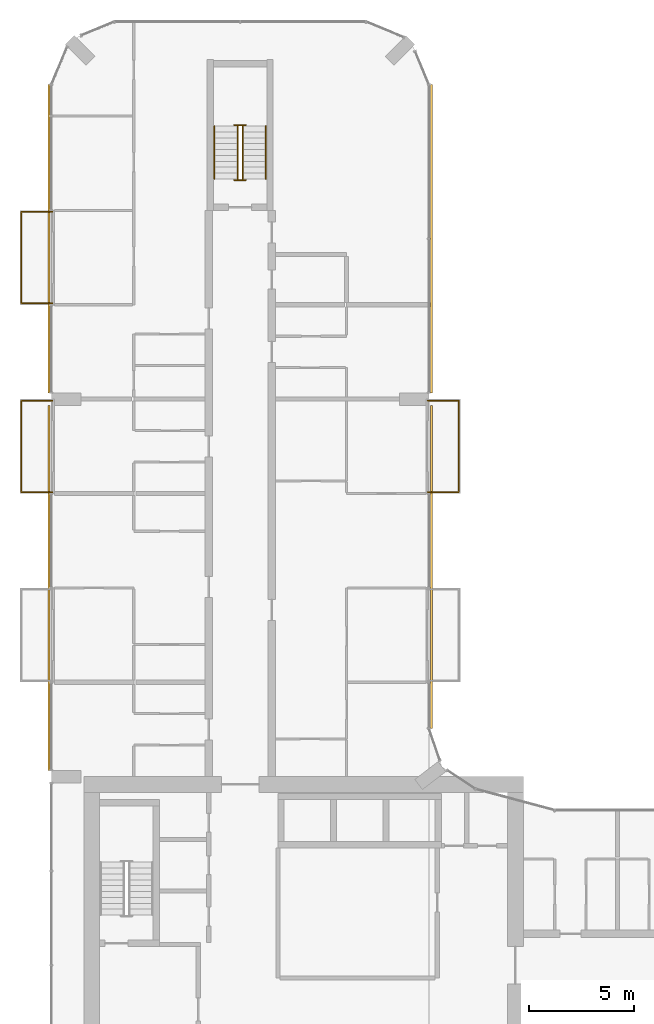
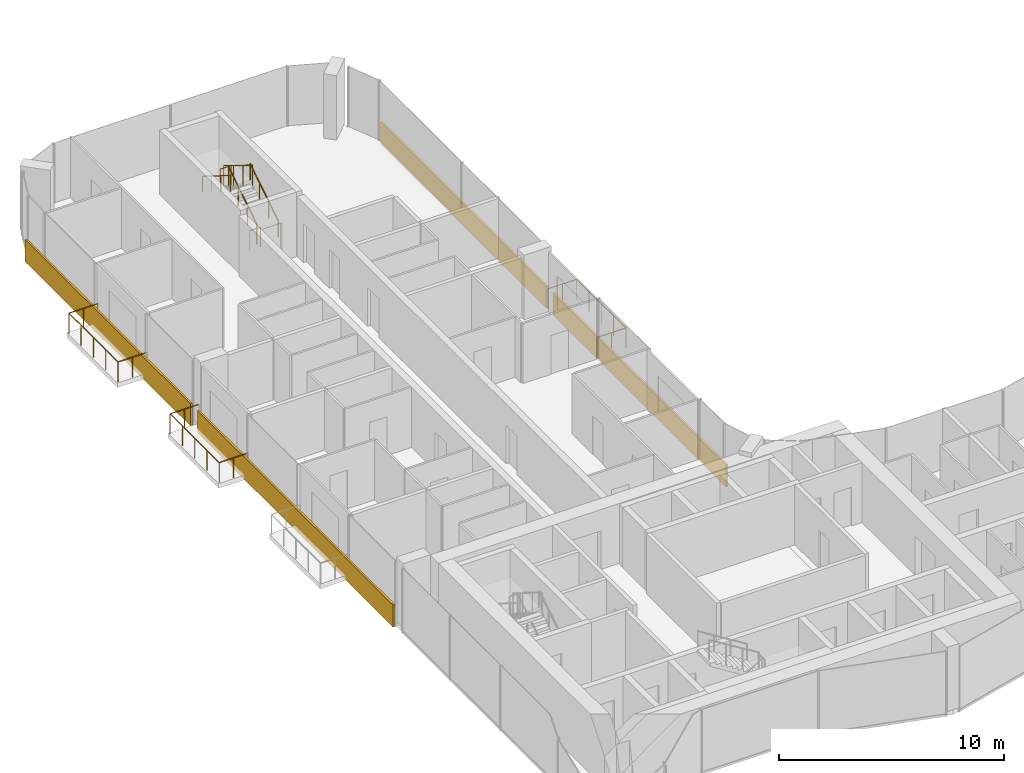
# One storey, part 22 of 23: 9 railings, 4 coverings.
"""IFC4 building model written with IfcOpenShell, lengths in metres."""

from ifc_helpers import new_model, si_unit, direction, frame, origin, origin_2d, place, context, subcontext, project, spatial, rectangle, circle, extrude, material, layer, layer_set, type_object, element, save


model = new_model("IFC4")

# Units and contexts
model_context = context("Model", 3, precision=1e-05, world=origin(), true_north=direction((0.0, 1.0)))
body_context = subcontext(model_context, "Body", "Model", "MODEL_VIEW")
ifc_project = project(units=[si_unit("LENGTHUNIT", "METRE"), si_unit("AREAUNIT", "SQUARE_METRE"), si_unit("VOLUMEUNIT", "CUBIC_METRE"), si_unit("PLANEANGLEUNIT", "RADIAN"), si_unit("MASSUNIT", "GRAM", prefix="KILO")], contexts=[model_context])

# Site, building, storey
site_placement = place(None, origin())
site = spatial("IfcSite", under=ifc_project, at=site_placement, CompositionType="ELEMENT")
building_placement = place(site_placement, origin())
building = spatial("IfcBuilding", under=site, at=building_placement, Name="Plateau Cross Towers", CompositionType="ELEMENT")
storey_placement = place(building_placement, frame((0.0, 0.0, 37.300048828125)))
storey = spatial("IfcBuildingStorey", under=building, at=storey_placement, Name="L08", CompositionType="ELEMENT", Elevation=37.300048828125)

# Railings
ifc_material_1 = material(Name="Stainless steel and toughened glass", Category="steel")
railing_type_1 = type_object("IfcRailingType", Name="Glass balustrade guard 1100", PredefinedType="GUARDRAIL", material=ifc_material_1)
for number, where, name in (
    (1, (0.050048828125, 31.570068359375, 0.0), "Guard guard1"),
    (2, (0.050048828125, 40.570068359375, 0.0), "Guard guard1"),
):
    element("IfcRailing", number, at=place(storey_placement, frame(where)), inside=storey, type_object=railing_type_1, Name=name, PredefinedType="GUARDRAIL", context=body_context, shape_type="SweptSolid", body=[
        extrude(circle(Radius=0.02392578125, at=origin_2d()), frame((0.0, 0.0, 1.076171875), z_axis=(-1.0, 0.0, 0.0), x_axis=(0.0, -1.0, 0.0)), (0.0, 0.0, 1.0), 1.47998046875),
        extrude(circle(Radius=0.02392578125, at=origin_2d()), frame((-1.47998046875, 0.0, 1.076171875), z_axis=(0.0, 1.0, 0.0), x_axis=(-1.0, 0.0, 0.0)), (0.0, 0.0, 1.0), 4.35986328125),
        extrude(circle(Radius=0.02392578125, at=origin_2d()), frame((-1.47998046875, 4.35986328125, 1.076171875), z_axis=(1.0, 0.0, 0.0), x_axis=(0.0, 1.0, 0.0)), (0.0, 0.0, 1.0), 1.47998046875),
        extrude(circle(Radius=0.02099609375, at=origin_2d()), origin(), (0.0, 0.0, 1.0), 1.052001953125),
        extrude(circle(Radius=0.02099609375, at=origin_2d()), frame((-0.739990234375, 0.0, 0.0)), (0.0, 0.0, 1.0), 1.052001953125),
        extrude(circle(Radius=0.02099609375, at=origin_2d()), frame((-1.47998046875, 0.0, 0.0)), (0.0, 0.0, 1.0), 1.052001953125),
        extrude(circle(Radius=0.02099609375, at=origin_2d()), frame((-1.47998046875, 1.08984375, 0.0)), (0.0, 0.0, 1.0), 1.052001953125),
        extrude(circle(Radius=0.02099609375, at=origin_2d()), frame((-1.47998046875, 2.179931640625, 0.0)), (0.0, 0.0, 1.0), 1.052001953125),
        extrude(circle(Radius=0.02099609375, at=origin_2d()), frame((-1.47998046875, 3.27001953125, 0.0)), (0.0, 0.0, 1.0), 1.052001953125),
        extrude(circle(Radius=0.02099609375, at=origin_2d()), frame((-1.47998046875, 4.35986328125, 0.0)), (0.0, 0.0, 1.0), 1.052001953125),
        extrude(circle(Radius=0.02099609375, at=origin_2d()), frame((-0.739990234375, 4.35986328125, 0.0)), (0.0, 0.0, 1.0), 1.052001953125),
        extrude(circle(Radius=0.02099609375, at=origin_2d()), frame((0.0, 4.35986328125, 0.0)), (0.0, 0.0, 1.0), 1.052001953125),
    ])
railing_1_placement = place(storey_placement, frame((17.949951171875, 35.929931640625, 0.0)))
element("IfcRailing", 3, at=railing_1_placement, inside=storey, type_object=railing_type_1, Name="Guard guard1", PredefinedType="GUARDRAIL", context=body_context, shape_type="SweptSolid", body=[
    extrude(circle(Radius=0.02392578125, at=origin_2d()), frame((0.0, 0.0, 1.076171875), z_axis=(1.0, 0.0, 0.0), x_axis=(0.0, 1.0, 0.0)), (0.0, 0.0, 1.0), 1.47998046875),
    extrude(circle(Radius=0.02392578125, at=origin_2d()), frame((1.47998046875, 0.0, 1.076171875), z_axis=(0.0, -1.0, 0.0), x_axis=(1.0, 0.0, 0.0)), (0.0, 0.0, 1.0), 4.35986328125),
    extrude(circle(Radius=0.02392578125, at=origin_2d()), frame((1.47998046875, -4.35986328125, 1.076171875), z_axis=(-1.0, 0.0, 0.0), x_axis=(0.0, -1.0, 0.0)), (0.0, 0.0, 1.0), 1.47998046875),
    extrude(circle(Radius=0.02099609375, at=origin_2d()), origin(), (0.0, 0.0, 1.0), 1.052001953125),
    extrude(circle(Radius=0.02099609375, at=origin_2d()), frame((0.739990234375, 0.0, 0.0)), (0.0, 0.0, 1.0), 1.052001953125),
    extrude(circle(Radius=0.02099609375, at=origin_2d()), frame((1.47998046875, 0.0, 0.0)), (0.0, 0.0, 1.0), 1.052001953125),
    extrude(circle(Radius=0.02099609375, at=origin_2d()), frame((1.47998046875, -1.08984375, 0.0)), (0.0, 0.0, 1.0), 1.052001953125),
    extrude(circle(Radius=0.02099609375, at=origin_2d()), frame((1.47998046875, -2.179931640625, 0.0)), (0.0, 0.0, 1.0), 1.052001953125),
    extrude(circle(Radius=0.02099609375, at=origin_2d()), frame((1.47998046875, -3.27001953125, 0.0)), (0.0, 0.0, 1.0), 1.052001953125),
    extrude(circle(Radius=0.02099609375, at=origin_2d()), frame((1.47998046875, -4.35986328125, 0.0)), (0.0, 0.0, 1.0), 1.052001953125),
    extrude(circle(Radius=0.02099609375, at=origin_2d()), frame((0.739990234375, -4.35986328125, 0.0)), (0.0, 0.0, 1.0), 1.052001953125),
    extrude(circle(Radius=0.02099609375, at=origin_2d()), frame((0.0, -4.35986328125, 0.0)), (0.0, 0.0, 1.0), 1.052001953125),
])
railing_type_2 = type_object("IfcRailingType", Name="RL-GUARD-1100", PredefinedType="GUARDRAIL", material=ifc_material_1)
railing_2_placement = place(storey_placement, frame((9.125, 46.5, 0.175048828125)))
element("IfcRailing", 4, at=railing_2_placement, inside=storey, type_object=railing_type_2, Name="L08 ES-N stair guard 1", PredefinedType="GUARDRAIL", context=body_context, shape_type="SweptSolid", body=[
    extrude(circle(Radius=0.02392578125, at=origin_2d()), frame((0.0, 0.0, 1.076171875), z_axis=(0.0, 0.848007534815, 0.529984170421), x_axis=(-1.0, 0.0, 0.0)), (0.0, 0.0, 1.0), 2.9716796875),
    extrude(circle(Radius=0.02099609375, at=origin_2d()), origin(), (0.0, 0.0, 1.0), 1.052001953125),
    extrude(circle(Radius=0.02099609375, at=origin_2d()), frame((0.0, 0.840087890625, 0.52490234375)), (0.0, 0.0, 1.0), 1.052001953125),
    extrude(circle(Radius=0.02099609375, at=origin_2d()), frame((0.0, 1.679931640625, 1.050048828125)), (0.0, 0.0, 1.0), 1.052001953125),
    extrude(circle(Radius=0.02099609375, at=origin_2d()), frame((0.0, 2.52001953125, 1.574951171875)), (0.0, 0.0, 1.0), 1.052001953125),
])
railing_3_placement = place(storey_placement, frame((9.27490234375, 49.070068359375, 1.75)))
element("IfcRailing", 5, at=railing_3_placement, inside=storey, type_object=railing_type_2, Name="L08 ES-N stair guard 2", PredefinedType="GUARDRAIL", context=body_context, shape_type="SweptSolid", body=[
    extrude(circle(Radius=0.02392578125, at=origin_2d()), frame((0.0, 0.0, 1.076171875), z_axis=(-1.0, 0.0, 0.0), x_axis=(0.0, -1.0, 0.0)), (0.0, 0.0, 1.0), 0.5498046875),
    extrude(circle(Radius=0.02099609375, at=origin_2d()), origin(), (0.0, 0.0, 1.0), 1.052001953125),
    extrude(circle(Radius=0.02099609375, at=origin_2d()), frame((-0.5498046875, 0.0, 0.0)), (0.0, 0.0, 1.0), 1.052001953125),
])
railing_4_placement = place(storey_placement, frame((8.875, 49.02001953125, 1.925048828125)))
element("IfcRailing", 6, at=railing_4_placement, inside=storey, type_object=railing_type_2, Name="L08 ES-N stair guard 3", PredefinedType="GUARDRAIL", context=body_context, shape_type="SweptSolid", body=[
    extrude(circle(Radius=0.02392578125, at=origin_2d()), frame((0.0, 0.0, 1.076171875), z_axis=(0.0, -0.852638500773, 0.522501279423), x_axis=(1.0, 0.0, 0.0)), (0.0, 0.0, 1.0), 3.01416015625),
    extrude(circle(Radius=0.02099609375, at=origin_2d()), origin(), (0.0, 0.0, 1.0), 1.052001953125),
    extrude(circle(Radius=0.02099609375, at=origin_2d()), frame((0.0, -0.856689453125, 0.52490234375)), (0.0, 0.0, 1.0), 1.052001953125),
    extrude(circle(Radius=0.02099609375, at=origin_2d()), frame((0.0, -1.71337890625, 1.050048828125)), (0.0, 0.0, 1.0), 1.052001953125),
    extrude(circle(Radius=0.02099609375, at=origin_2d()), frame((0.0, -2.570068359375, 1.574951171875)), (0.0, 0.0, 1.0), 1.052001953125),
])
railing_5_placement = place(storey_placement, frame((9.27490234375, 46.449951171875, 0.0)))
element("IfcRailing", 7, at=railing_5_placement, inside=storey, type_object=railing_type_2, Name="L08 ES-N stair guard 4", PredefinedType="GUARDRAIL", context=body_context, shape_type="SweptSolid", body=[
    extrude(circle(Radius=0.02392578125, at=origin_2d()), frame((0.0, 0.0, 1.076171875), z_axis=(-1.0, 0.0, 0.0), x_axis=(0.0, -1.0, 0.0)), (0.0, 0.0, 1.0), 0.5498046875),
    extrude(circle(Radius=0.02099609375, at=origin_2d()), origin(), (0.0, 0.0, 1.0), 1.052001953125),
    extrude(circle(Radius=0.02099609375, at=origin_2d()), frame((-0.5498046875, 0.0, 0.0)), (0.0, 0.0, 1.0), 1.052001953125),
])
ifc_material_2 = material(Name="Black anodised aluminium", Category="aluminium")
railing_type_3 = type_object("IfcRailingType", Name="RL-HANDRAIL-900", PredefinedType="HANDRAIL", material=ifc_material_2)
railing_6_placement = place(storey_placement, frame((10.22509765625, 46.5, 0.175048828125)))
element("IfcRailing", 8, at=railing_6_placement, inside=storey, type_object=railing_type_3, Name="L08 ES-N stair handrail 1", PredefinedType="HANDRAIL", context=body_context, shape_type="SweptSolid", body=[
    extrude(circle(Radius=0.02392578125, at=origin_2d()), frame((0.0, 0.0, 0.8759765625), z_axis=(0.0, 0.848007534815, 0.529984170421), x_axis=(-1.0, 0.0, 0.0)), (0.0, 0.0, 1.0), 2.9716796875),
    extrude(circle(Radius=0.02099609375, at=origin_2d()), origin(), (0.0, 0.0, 1.0), 0.851806640625),
    extrude(circle(Radius=0.02099609375, at=origin_2d()), frame((0.0, 0.840087890625, 0.52490234375)), (0.0, 0.0, 1.0), 0.851806640625),
    extrude(circle(Radius=0.02099609375, at=origin_2d()), frame((0.0, 1.679931640625, 1.050048828125)), (0.0, 0.0, 1.0), 0.851806640625),
    extrude(circle(Radius=0.02099609375, at=origin_2d()), frame((0.0, 2.52001953125, 1.574951171875)), (0.0, 0.0, 1.0), 0.851806640625),
])
railing_7_placement = place(storey_placement, frame((7.77490234375, 49.02001953125, 1.925048828125)))
element("IfcRailing", 9, at=railing_7_placement, inside=storey, type_object=railing_type_3, Name="L08 ES-N stair handrail 2", PredefinedType="HANDRAIL", context=body_context, shape_type="SweptSolid", body=[
    extrude(circle(Radius=0.02392578125, at=origin_2d()), frame((0.0, 0.0, 0.8759765625), z_axis=(0.0, -0.848007534815, 0.529984170421), x_axis=(1.0, 0.0, 0.0)), (0.0, 0.0, 1.0), 2.9716796875),
    extrude(circle(Radius=0.02099609375, at=origin_2d()), origin(), (0.0, 0.0, 1.0), 0.851806640625),
    extrude(circle(Radius=0.02099609375, at=origin_2d()), frame((0.0, -0.840087890625, 0.52490234375)), (0.0, 0.0, 1.0), 0.851806640625),
    extrude(circle(Radius=0.02099609375, at=origin_2d()), frame((0.0, -1.679931640625, 1.050048828125)), (0.0, 0.0, 1.0), 0.851806640625),
    extrude(circle(Radius=0.02099609375, at=origin_2d()), frame((0.0, -2.52001953125, 1.574951171875)), (0.0, 0.0, 1.0), 0.851806640625),
])

# Coverings
ifc_material_3 = material(Name="Precast concrete cladding C40/50", Category="concrete")
ifc_layer = layer(ifc_material_3, 0.10009765625)
ifc_layer_set = layer_set([ifc_layer], Name="Precast concrete cladding C40/50")
covering_type = type_object("IfcCoveringType", Name="Spandrel band cladding 100x1200", PredefinedType="CLADDING", material=ifc_layer_set)
covering_1_placement = place(storey_placement, frame((18.1201171875, 28.001220703125, -0.25), z_axis=(0.0, 0.0, 1.0), x_axis=(0.0, 1.0, 0.0)))
element("IfcCovering", 10, at=covering_1_placement, inside=storey, type_object=covering_type, Name="Spandrel band", PredefinedType="CLADDING", context=body_context, shape_type="SweptSolid", body=[
    extrude(rectangle(XDim=15.397705078125, YDim=0.10009765625, at=origin_2d()), origin(), (0.0, 0.0, 1.0), 1.199951171875),
])
for number, where, z_axis, x_axis, name in (
    (11, (18.1201171875, 43.64990234375, -0.25), (0.0, 0.0, 1.0), (0.0, 1.0, 0.0), "Spandrel band"),
    (12, (-0.1201171875, 43.64990234375, -0.25), (0.0, 0.0, 1.0), (0.0, -1.0, 0.0), "Spandrel band"),
):
    element("IfcCovering", number, at=place(storey_placement, frame(where, z_axis=z_axis, x_axis=x_axis)), inside=storey, type_object=covering_type, Name=name, PredefinedType="CLADDING", context=body_context, shape_type="SweptSolid", body=[
        extrude(rectangle(XDim=14.699951171875, YDim=0.10009765625, at=origin_2d()), origin(), (0.0, 0.0, 1.0), 1.199951171875),
    ])
covering_2_placement = place(storey_placement, frame((-0.1201171875, 27.0, -0.25), z_axis=(0.0, 0.0, 1.0), x_axis=(0.0, -1.0, 0.0)))
element("IfcCovering", 13, at=covering_2_placement, inside=storey, type_object=covering_type, Name="Spandrel band", PredefinedType="CLADDING", context=body_context, shape_type="SweptSolid", body=[
    extrude(rectangle(XDim=17.39990234375, YDim=0.10009765625, at=origin_2d()), origin(), (0.0, 0.0, 1.0), 1.199951171875),
])

save(model, "model.ifc")
